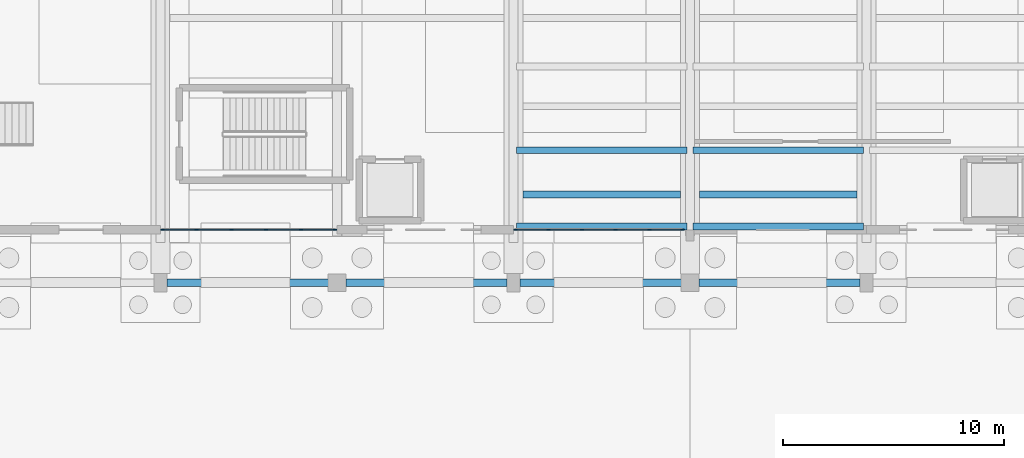
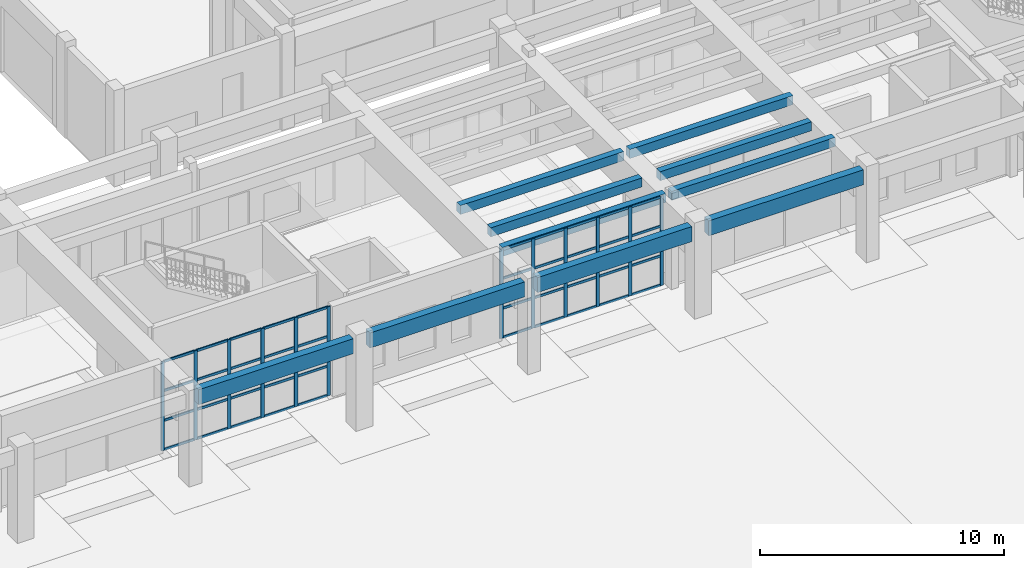
# One storey, part 23 of 68: 52 members, 10 beams, 2 elements without a shape of their own.
"""IFC4 building model written with IfcOpenShell, lengths in metres."""

from ifc_helpers import new_model, si_unit, direction, frame, origin, origin_2d, place, context, subcontext, project, spatial, rectangle, extrude, material, material_profile, profile_set, type_object, element, aggregate, save


model = new_model("IFC4")

# Units and contexts
model_context = context("Model", 3, precision=1e-05, world=origin(), true_north=direction((0.0, 1.0)))
body_context = subcontext(model_context, "Body", "Model", "MODEL_VIEW")
ifc_project = project(units=[si_unit("LENGTHUNIT", "METRE"), si_unit("AREAUNIT", "SQUARE_METRE"), si_unit("VOLUMEUNIT", "CUBIC_METRE"), si_unit("PLANEANGLEUNIT", "RADIAN"), si_unit("MASSUNIT", "GRAM", prefix="KILO")], contexts=[model_context])

# Site, building, storey
site_placement = place(None, origin())
site = spatial("IfcSite", under=ifc_project, at=site_placement, CompositionType="ELEMENT")
building_placement = place(site_placement, origin())
building = spatial("IfcBuilding", under=site, at=building_placement, Name="Serraluz Foothill Cableway Terminal", CompositionType="ELEMENT")
storey_placement = place(building_placement, origin())
storey = spatial("IfcBuildingStorey", under=building, at=storey_placement, Name="L00", CompositionType="ELEMENT", Elevation=0.0)

# Curtain wall, members
ifc_material_1 = material(Name="Architectural bronze alloy C28000", Category="aluminium")
curtain_wall_type_1 = type_object("IfcCurtainWallType", Name="TYP-CW-720X480", PredefinedType="NOTDEFINED", material=ifc_material_1)
curtain_wall_1_placement = place(storey_placement, origin())
curtain_wall_1 = element("IfcCurtainWall", 1, at=curtain_wall_1_placement, inside=storey, type_object=curtain_wall_type_1, Name="Ribbed Glazed Curtain Wall CW-V1S-L00-64", PredefinedType="NOTDEFINED")
ifc_material_profile_1 = material_profile(ifc_material_1, rectangle(XDim=0.06005859375, YDim=0.159912109375, at=origin_2d()), Name="ALU MULLION 60x160")
ifc_profile_set_1 = profile_set([ifc_material_profile_1], Name="Architectural bronze alloy C28000")
member_type_1 = type_object("IfcMemberType", Name="TYP-CW-MUL-60X160", PredefinedType="MULLION", material=ifc_profile_set_1)
member_1_placement = place(storey_placement, frame((71.91796875, 58.39990234375, 0.0), z_axis=(0.0, 0.0, 1.0), x_axis=(0.0, -1.0, 0.0)))
member_1 = element("IfcMember", 2, at=member_1_placement, type_object=member_type_1, Name="CW-04 mullion 1", PredefinedType="MULLION", context=body_context, shape_type="SweptSolid", body=[
    extrude(rectangle(XDim=0.06005859375, YDim=0.159912109375, at=origin_2d()), origin(), (0.0, 0.0, 1.0), 4.449951171875),
])
member_2_placement = place(storey_placement, frame((70.368896484375, 58.39990234375, 0.0), z_axis=(0.0, 0.0, 1.0), x_axis=(0.0, -1.0, 0.0)))
member_2 = element("IfcMember", 3, at=member_2_placement, type_object=member_type_1, Name="CW-04 mullion 2", PredefinedType="MULLION", context=body_context, shape_type="SweptSolid", body=[
    extrude(rectangle(XDim=0.06005859375, YDim=0.159912109375, at=origin_2d()), origin(), (0.0, 0.0, 1.0), 4.449951171875),
])
member_3_placement = place(storey_placement, frame((68.78955078125, 58.39990234375, 0.0), z_axis=(0.0, 0.0, 1.0), x_axis=(0.0, -1.0, 0.0)))
member_3 = element("IfcMember", 4, at=member_3_placement, type_object=member_type_1, Name="CW-04 mullion 3", PredefinedType="MULLION", context=body_context, shape_type="SweptSolid", body=[
    extrude(rectangle(XDim=0.06005859375, YDim=0.159912109375, at=origin_2d()), origin(), (0.0, 0.0, 1.0), 4.449951171875),
])
member_4_placement = place(storey_placement, frame((67.21044921875, 58.39990234375, 0.0), z_axis=(0.0, 0.0, 1.0), x_axis=(0.0, -1.0, 0.0)))
member_4 = element("IfcMember", 5, at=member_4_placement, type_object=member_type_1, Name="CW-04 mullion 4", PredefinedType="MULLION", context=body_context, shape_type="SweptSolid", body=[
    extrude(rectangle(XDim=0.06005859375, YDim=0.159912109375, at=origin_2d()), origin(), (0.0, 0.0, 1.0), 4.449951171875),
])
member_5_placement = place(storey_placement, frame((65.631103515625, 58.39990234375, 0.0), z_axis=(0.0, 0.0, 1.0), x_axis=(0.0, -1.0, 0.0)))
member_5 = element("IfcMember", 6, at=member_5_placement, type_object=member_type_1, Name="CW-04 mullion 5", PredefinedType="MULLION", context=body_context, shape_type="SweptSolid", body=[
    extrude(rectangle(XDim=0.06005859375, YDim=0.159912109375, at=origin_2d()), origin(), (0.0, 0.0, 1.0), 4.449951171875),
])
member_6_placement = place(storey_placement, frame((64.08203125, 58.39990234375, 0.0), z_axis=(0.0, 0.0, 1.0), x_axis=(0.0, -1.0, 0.0)))
member_6 = element("IfcMember", 7, at=member_6_placement, type_object=member_type_1, Name="CW-04 mullion 6", PredefinedType="MULLION", context=body_context, shape_type="SweptSolid", body=[
    extrude(rectangle(XDim=0.06005859375, YDim=0.159912109375, at=origin_2d()), origin(), (0.0, 0.0, 1.0), 4.449951171875),
])

curtain_wall_type_2 = type_object("IfcCurtainWallType", Name="TYP-CW-740X440", PredefinedType="NOTDEFINED", material=ifc_material_1)
curtain_wall_2_placement = place(storey_placement, origin())
curtain_wall_2 = element("IfcCurtainWall", 8, at=curtain_wall_2_placement, inside=storey, type_object=curtain_wall_type_2, Name="Ribbed Glazed Curtain Wall CW-V1S-L00-80", PredefinedType="NOTDEFINED")
member_7_placement = place(storey_placement, frame((87.655029296875, 58.39990234375, 0.0), z_axis=(0.0, 0.0, 1.0), x_axis=(0.0, -1.0, 0.0)))
member_7 = element("IfcMember", 9, at=member_7_placement, type_object=member_type_1, Name="CW-06 mullion 1", PredefinedType="MULLION", context=body_context, shape_type="SweptSolid", body=[
    extrude(rectangle(XDim=0.06005859375, YDim=0.159912109375, at=origin_2d()), origin(), (0.0, 0.0, 1.0), 4.449951171875),
])
member_8_placement = place(storey_placement, frame((86.158447265625, 58.39990234375, 0.0), z_axis=(0.0, 0.0, 1.0), x_axis=(0.0, -1.0, 0.0)))
member_8 = element("IfcMember", 10, at=member_8_placement, type_object=member_type_1, Name="CW-06 mullion 2", PredefinedType="MULLION", context=body_context, shape_type="SweptSolid", body=[
    extrude(rectangle(XDim=0.06005859375, YDim=0.159912109375, at=origin_2d()), origin(), (0.0, 0.0, 1.0), 4.449951171875),
])
member_9_placement = place(storey_placement, frame((84.6318359375, 58.39990234375, 0.0), z_axis=(0.0, 0.0, 1.0), x_axis=(0.0, -1.0, 0.0)))
member_9 = element("IfcMember", 11, at=member_9_placement, type_object=member_type_1, Name="CW-06 mullion 3", PredefinedType="MULLION", context=body_context, shape_type="SweptSolid", body=[
    extrude(rectangle(XDim=0.06005859375, YDim=0.159912109375, at=origin_2d()), origin(), (0.0, 0.0, 1.0), 4.449951171875),
])
member_10_placement = place(storey_placement, frame((83.105224609375, 58.39990234375, 0.0), z_axis=(0.0, 0.0, 1.0), x_axis=(0.0, -1.0, 0.0)))
member_10 = element("IfcMember", 12, at=member_10_placement, type_object=member_type_1, Name="CW-06 mullion 4", PredefinedType="MULLION", context=body_context, shape_type="SweptSolid", body=[
    extrude(rectangle(XDim=0.06005859375, YDim=0.159912109375, at=origin_2d()), origin(), (0.0, 0.0, 1.0), 4.449951171875),
])
member_11_placement = place(storey_placement, frame((81.57861328125, 58.39990234375, 0.0), z_axis=(0.0, 0.0, 1.0), x_axis=(0.0, -1.0, 0.0)))
member_11 = element("IfcMember", 13, at=member_11_placement, type_object=member_type_1, Name="CW-06 mullion 5", PredefinedType="MULLION", context=body_context, shape_type="SweptSolid", body=[
    extrude(rectangle(XDim=0.06005859375, YDim=0.159912109375, at=origin_2d()), origin(), (0.0, 0.0, 1.0), 4.449951171875),
])
member_12_placement = place(storey_placement, frame((80.08203125, 58.39990234375, 0.0), z_axis=(0.0, 0.0, 1.0), x_axis=(0.0, -1.0, 0.0)))
member_12 = element("IfcMember", 14, at=member_12_placement, type_object=member_type_1, Name="CW-06 mullion 6", PredefinedType="MULLION", context=body_context, shape_type="SweptSolid", body=[
    extrude(rectangle(XDim=0.06005859375, YDim=0.159912109375, at=origin_2d()), origin(), (0.0, 0.0, 1.0), 4.449951171875),
])

# Member
ifc_material_profile_2 = material_profile(ifc_material_1, rectangle(XDim=0.06005859375, YDim=0.1201171875, at=origin_2d()), Name="ALU TRANSOM 60x120")
ifc_profile_set_2 = profile_set([ifc_material_profile_2], Name="Architectural bronze alloy C28000")
member_type_2 = type_object("IfcMemberType", Name="TYP-CW-TRN-60X120", PredefinedType="USERDEFINED", material=ifc_profile_set_2)
member_13_placement = place(storey_placement, frame((71.887939453125, 58.39990234375, 0.030029296875), z_axis=(-1.0, 0.0, 0.0), x_axis=(0.0, -1.0, 0.0)))
member_13 = element("IfcMember", 15, at=member_13_placement, type_object=member_type_2, Name="CW-04 transom 1.1", ObjectType="TRANSOM", PredefinedType="USERDEFINED", context=body_context, shape_type="SweptSolid", body=[
    extrude(rectangle(XDim=0.06005859375, YDim=0.1201171875, at=origin_2d()), origin(), (0.0, 0.0, 1.0), 1.4892578125),
])

member_14_placement = place(storey_placement, frame((71.887939453125, 58.39990234375, 1.4833984375), z_axis=(-1.0, 0.0, 0.0), x_axis=(0.0, -1.0, 0.0)))
member_14 = element("IfcMember", 16, at=member_14_placement, type_object=member_type_2, Name="CW-04 transom 1.2", ObjectType="TRANSOM", PredefinedType="USERDEFINED", context=body_context, shape_type="SweptSolid", body=[
    extrude(rectangle(XDim=0.06005859375, YDim=0.1201171875, at=origin_2d()), origin(), (0.0, 0.0, 1.0), 1.4892578125),
])

member_15_placement = place(storey_placement, frame((71.887939453125, 58.39990234375, 2.966796875), z_axis=(-1.0, 0.0, 0.0), x_axis=(0.0, -1.0, 0.0)))
member_15 = element("IfcMember", 17, at=member_15_placement, type_object=member_type_2, Name="CW-04 transom 1.3", ObjectType="TRANSOM", PredefinedType="USERDEFINED", context=body_context, shape_type="SweptSolid", body=[
    extrude(rectangle(XDim=0.06005859375, YDim=0.1201171875, at=origin_2d()), origin(), (0.0, 0.0, 1.0), 1.4892578125),
])

member_16_placement = place(storey_placement, frame((71.887939453125, 58.39990234375, 4.419921875), z_axis=(-1.0, 0.0, 0.0), x_axis=(0.0, -1.0, 0.0)))
member_16 = element("IfcMember", 18, at=member_16_placement, type_object=member_type_2, Name="CW-04 transom 1.4", ObjectType="TRANSOM", PredefinedType="USERDEFINED", context=body_context, shape_type="SweptSolid", body=[
    extrude(rectangle(XDim=0.06005859375, YDim=0.1201171875, at=origin_2d()), origin(), (0.0, 0.0, 1.0), 1.4892578125),
])

member_17_placement = place(storey_placement, frame((70.3388671875, 58.39990234375, 0.030029296875), z_axis=(-1.0, 0.0, 0.0), x_axis=(0.0, -1.0, 0.0)))
member_17 = element("IfcMember", 19, at=member_17_placement, type_object=member_type_2, Name="CW-04 transom 2.1", ObjectType="TRANSOM", PredefinedType="USERDEFINED", context=body_context, shape_type="SweptSolid", body=[
    extrude(rectangle(XDim=0.06005859375, YDim=0.1201171875, at=origin_2d()), origin(), (0.0, 0.0, 1.0), 1.519287109375),
])

member_18_placement = place(storey_placement, frame((70.3388671875, 58.39990234375, 1.4833984375), z_axis=(-1.0, 0.0, 0.0), x_axis=(0.0, -1.0, 0.0)))
member_18 = element("IfcMember", 20, at=member_18_placement, type_object=member_type_2, Name="CW-04 transom 2.2", ObjectType="TRANSOM", PredefinedType="USERDEFINED", context=body_context, shape_type="SweptSolid", body=[
    extrude(rectangle(XDim=0.06005859375, YDim=0.1201171875, at=origin_2d()), origin(), (0.0, 0.0, 1.0), 1.519287109375),
])

member_19_placement = place(storey_placement, frame((70.3388671875, 58.39990234375, 2.966796875), z_axis=(-1.0, 0.0, 0.0), x_axis=(0.0, -1.0, 0.0)))
member_19 = element("IfcMember", 21, at=member_19_placement, type_object=member_type_2, Name="CW-04 transom 2.3", ObjectType="TRANSOM", PredefinedType="USERDEFINED", context=body_context, shape_type="SweptSolid", body=[
    extrude(rectangle(XDim=0.06005859375, YDim=0.1201171875, at=origin_2d()), origin(), (0.0, 0.0, 1.0), 1.519287109375),
])

member_20_placement = place(storey_placement, frame((70.3388671875, 58.39990234375, 4.419921875), z_axis=(-1.0, 0.0, 0.0), x_axis=(0.0, -1.0, 0.0)))
member_20 = element("IfcMember", 22, at=member_20_placement, type_object=member_type_2, Name="CW-04 transom 2.4", ObjectType="TRANSOM", PredefinedType="USERDEFINED", context=body_context, shape_type="SweptSolid", body=[
    extrude(rectangle(XDim=0.06005859375, YDim=0.1201171875, at=origin_2d()), origin(), (0.0, 0.0, 1.0), 1.519287109375),
])

member_21_placement = place(storey_placement, frame((68.759521484375, 58.39990234375, 0.030029296875), z_axis=(-1.0, 0.0, 0.0), x_axis=(0.0, -1.0, 0.0)))
member_21 = element("IfcMember", 23, at=member_21_placement, type_object=member_type_2, Name="CW-04 transom 3.1", ObjectType="TRANSOM", PredefinedType="USERDEFINED", context=body_context, shape_type="SweptSolid", body=[
    extrude(rectangle(XDim=0.06005859375, YDim=0.1201171875, at=origin_2d()), origin(), (0.0, 0.0, 1.0), 1.51904296875),
])

member_22_placement = place(storey_placement, frame((68.759521484375, 58.39990234375, 1.4833984375), z_axis=(-1.0, 0.0, 0.0), x_axis=(0.0, -1.0, 0.0)))
member_22 = element("IfcMember", 24, at=member_22_placement, type_object=member_type_2, Name="CW-04 transom 3.2", ObjectType="TRANSOM", PredefinedType="USERDEFINED", context=body_context, shape_type="SweptSolid", body=[
    extrude(rectangle(XDim=0.06005859375, YDim=0.1201171875, at=origin_2d()), origin(), (0.0, 0.0, 1.0), 1.51904296875),
])

member_23_placement = place(storey_placement, frame((68.759521484375, 58.39990234375, 2.966796875), z_axis=(-1.0, 0.0, 0.0), x_axis=(0.0, -1.0, 0.0)))
member_23 = element("IfcMember", 25, at=member_23_placement, type_object=member_type_2, Name="CW-04 transom 3.3", ObjectType="TRANSOM", PredefinedType="USERDEFINED", context=body_context, shape_type="SweptSolid", body=[
    extrude(rectangle(XDim=0.06005859375, YDim=0.1201171875, at=origin_2d()), origin(), (0.0, 0.0, 1.0), 1.51904296875),
])

member_24_placement = place(storey_placement, frame((68.759521484375, 58.39990234375, 4.419921875), z_axis=(-1.0, 0.0, 0.0), x_axis=(0.0, -1.0, 0.0)))
member_24 = element("IfcMember", 26, at=member_24_placement, type_object=member_type_2, Name="CW-04 transom 3.4", ObjectType="TRANSOM", PredefinedType="USERDEFINED", context=body_context, shape_type="SweptSolid", body=[
    extrude(rectangle(XDim=0.06005859375, YDim=0.1201171875, at=origin_2d()), origin(), (0.0, 0.0, 1.0), 1.51904296875),
])

member_25_placement = place(storey_placement, frame((67.180419921875, 58.39990234375, 0.030029296875), z_axis=(-1.0, 0.0, 0.0), x_axis=(0.0, -1.0, 0.0)))
member_25 = element("IfcMember", 27, at=member_25_placement, type_object=member_type_2, Name="CW-04 transom 4.1", ObjectType="TRANSOM", PredefinedType="USERDEFINED", context=body_context, shape_type="SweptSolid", body=[
    extrude(rectangle(XDim=0.06005859375, YDim=0.1201171875, at=origin_2d()), origin(), (0.0, 0.0, 1.0), 1.519287109375),
])

member_26_placement = place(storey_placement, frame((67.180419921875, 58.39990234375, 1.4833984375), z_axis=(-1.0, 0.0, 0.0), x_axis=(0.0, -1.0, 0.0)))
member_26 = element("IfcMember", 28, at=member_26_placement, type_object=member_type_2, Name="CW-04 transom 4.2", ObjectType="TRANSOM", PredefinedType="USERDEFINED", context=body_context, shape_type="SweptSolid", body=[
    extrude(rectangle(XDim=0.06005859375, YDim=0.1201171875, at=origin_2d()), origin(), (0.0, 0.0, 1.0), 1.519287109375),
])

member_27_placement = place(storey_placement, frame((67.180419921875, 58.39990234375, 2.966796875), z_axis=(-1.0, 0.0, 0.0), x_axis=(0.0, -1.0, 0.0)))
member_27 = element("IfcMember", 29, at=member_27_placement, type_object=member_type_2, Name="CW-04 transom 4.3", ObjectType="TRANSOM", PredefinedType="USERDEFINED", context=body_context, shape_type="SweptSolid", body=[
    extrude(rectangle(XDim=0.06005859375, YDim=0.1201171875, at=origin_2d()), origin(), (0.0, 0.0, 1.0), 1.519287109375),
])

member_28_placement = place(storey_placement, frame((67.180419921875, 58.39990234375, 4.419921875), z_axis=(-1.0, 0.0, 0.0), x_axis=(0.0, -1.0, 0.0)))
member_28 = element("IfcMember", 30, at=member_28_placement, type_object=member_type_2, Name="CW-04 transom 4.4", ObjectType="TRANSOM", PredefinedType="USERDEFINED", context=body_context, shape_type="SweptSolid", body=[
    extrude(rectangle(XDim=0.06005859375, YDim=0.1201171875, at=origin_2d()), origin(), (0.0, 0.0, 1.0), 1.519287109375),
])

member_29_placement = place(storey_placement, frame((65.601318359375, 58.39990234375, 0.030029296875), z_axis=(-1.0, 0.0, 0.0), x_axis=(0.0, -1.0, 0.0)))
member_29 = element("IfcMember", 31, at=member_29_placement, type_object=member_type_2, Name="CW-04 transom 5.1", ObjectType="TRANSOM", PredefinedType="USERDEFINED", context=body_context, shape_type="SweptSolid", body=[
    extrude(rectangle(XDim=0.06005859375, YDim=0.1201171875, at=origin_2d()), origin(), (0.0, 0.0, 1.0), 1.4892578125),
])

member_30_placement = place(storey_placement, frame((65.601318359375, 58.39990234375, 1.4833984375), z_axis=(-1.0, 0.0, 0.0), x_axis=(0.0, -1.0, 0.0)))
member_30 = element("IfcMember", 32, at=member_30_placement, type_object=member_type_2, Name="CW-04 transom 5.2", ObjectType="TRANSOM", PredefinedType="USERDEFINED", context=body_context, shape_type="SweptSolid", body=[
    extrude(rectangle(XDim=0.06005859375, YDim=0.1201171875, at=origin_2d()), origin(), (0.0, 0.0, 1.0), 1.4892578125),
])

member_31_placement = place(storey_placement, frame((65.601318359375, 58.39990234375, 2.966796875), z_axis=(-1.0, 0.0, 0.0), x_axis=(0.0, -1.0, 0.0)))
member_31 = element("IfcMember", 33, at=member_31_placement, type_object=member_type_2, Name="CW-04 transom 5.3", ObjectType="TRANSOM", PredefinedType="USERDEFINED", context=body_context, shape_type="SweptSolid", body=[
    extrude(rectangle(XDim=0.06005859375, YDim=0.1201171875, at=origin_2d()), origin(), (0.0, 0.0, 1.0), 1.4892578125),
])

member_32_placement = place(storey_placement, frame((65.601318359375, 58.39990234375, 4.419921875), z_axis=(-1.0, 0.0, 0.0), x_axis=(0.0, -1.0, 0.0)))
member_32 = element("IfcMember", 34, at=member_32_placement, type_object=member_type_2, Name="CW-04 transom 5.4", ObjectType="TRANSOM", PredefinedType="USERDEFINED", context=body_context, shape_type="SweptSolid", body=[
    extrude(rectangle(XDim=0.06005859375, YDim=0.1201171875, at=origin_2d()), origin(), (0.0, 0.0, 1.0), 1.4892578125),
])

aggregate(curtain_wall_1, [member_1, member_2, member_3, member_4, member_5, member_6, member_13, member_14, member_15, member_16, member_17, member_18, member_19, member_20, member_21, member_22, member_23, member_24, member_25, member_26, member_27, member_28, member_29, member_30, member_31, member_32])

member_33_placement = place(storey_placement, frame((87.625, 58.39990234375, 0.030029296875), z_axis=(-1.0, 0.0, 0.0), x_axis=(0.0, -1.0, 0.0)))
member_33 = element("IfcMember", 35, at=member_33_placement, type_object=member_type_2, Name="CW-06 transom 1.1", ObjectType="TRANSOM", PredefinedType="USERDEFINED", context=body_context, shape_type="SweptSolid", body=[
    extrude(rectangle(XDim=0.06005859375, YDim=0.1201171875, at=origin_2d()), origin(), (0.0, 0.0, 1.0), 1.4365234375),
])

member_34_placement = place(storey_placement, frame((87.625, 58.39990234375, 1.4833984375), z_axis=(-1.0, 0.0, 0.0), x_axis=(0.0, -1.0, 0.0)))
member_34 = element("IfcMember", 36, at=member_34_placement, type_object=member_type_2, Name="CW-06 transom 1.2", ObjectType="TRANSOM", PredefinedType="USERDEFINED", context=body_context, shape_type="SweptSolid", body=[
    extrude(rectangle(XDim=0.06005859375, YDim=0.1201171875, at=origin_2d()), origin(), (0.0, 0.0, 1.0), 1.4365234375),
])

member_35_placement = place(storey_placement, frame((87.625, 58.39990234375, 2.966796875), z_axis=(-1.0, 0.0, 0.0), x_axis=(0.0, -1.0, 0.0)))
member_35 = element("IfcMember", 37, at=member_35_placement, type_object=member_type_2, Name="CW-06 transom 1.3", ObjectType="TRANSOM", PredefinedType="USERDEFINED", context=body_context, shape_type="SweptSolid", body=[
    extrude(rectangle(XDim=0.06005859375, YDim=0.1201171875, at=origin_2d()), origin(), (0.0, 0.0, 1.0), 1.4365234375),
])

member_36_placement = place(storey_placement, frame((87.625, 58.39990234375, 4.419921875), z_axis=(-1.0, 0.0, 0.0), x_axis=(0.0, -1.0, 0.0)))
member_36 = element("IfcMember", 38, at=member_36_placement, type_object=member_type_2, Name="CW-06 transom 1.4", ObjectType="TRANSOM", PredefinedType="USERDEFINED", context=body_context, shape_type="SweptSolid", body=[
    extrude(rectangle(XDim=0.06005859375, YDim=0.1201171875, at=origin_2d()), origin(), (0.0, 0.0, 1.0), 1.4365234375),
])

member_37_placement = place(storey_placement, frame((86.12841796875, 58.39990234375, 0.030029296875), z_axis=(-1.0, 0.0, 0.0), x_axis=(0.0, -1.0, 0.0)))
member_37 = element("IfcMember", 39, at=member_37_placement, type_object=member_type_2, Name="CW-06 transom 2.1", ObjectType="TRANSOM", PredefinedType="USERDEFINED", context=body_context, shape_type="SweptSolid", body=[
    extrude(rectangle(XDim=0.06005859375, YDim=0.1201171875, at=origin_2d()), origin(), (0.0, 0.0, 1.0), 1.466552734375),
])

member_38_placement = place(storey_placement, frame((86.12841796875, 58.39990234375, 1.4833984375), z_axis=(-1.0, 0.0, 0.0), x_axis=(0.0, -1.0, 0.0)))
member_38 = element("IfcMember", 40, at=member_38_placement, type_object=member_type_2, Name="CW-06 transom 2.2", ObjectType="TRANSOM", PredefinedType="USERDEFINED", context=body_context, shape_type="SweptSolid", body=[
    extrude(rectangle(XDim=0.06005859375, YDim=0.1201171875, at=origin_2d()), origin(), (0.0, 0.0, 1.0), 1.466552734375),
])

member_39_placement = place(storey_placement, frame((86.12841796875, 58.39990234375, 2.966796875), z_axis=(-1.0, 0.0, 0.0), x_axis=(0.0, -1.0, 0.0)))
member_39 = element("IfcMember", 41, at=member_39_placement, type_object=member_type_2, Name="CW-06 transom 2.3", ObjectType="TRANSOM", PredefinedType="USERDEFINED", context=body_context, shape_type="SweptSolid", body=[
    extrude(rectangle(XDim=0.06005859375, YDim=0.1201171875, at=origin_2d()), origin(), (0.0, 0.0, 1.0), 1.466552734375),
])

member_40_placement = place(storey_placement, frame((86.12841796875, 58.39990234375, 4.419921875), z_axis=(-1.0, 0.0, 0.0), x_axis=(0.0, -1.0, 0.0)))
member_40 = element("IfcMember", 42, at=member_40_placement, type_object=member_type_2, Name="CW-06 transom 2.4", ObjectType="TRANSOM", PredefinedType="USERDEFINED", context=body_context, shape_type="SweptSolid", body=[
    extrude(rectangle(XDim=0.06005859375, YDim=0.1201171875, at=origin_2d()), origin(), (0.0, 0.0, 1.0), 1.466552734375),
])

member_41_placement = place(storey_placement, frame((84.601806640625, 58.39990234375, 0.030029296875), z_axis=(-1.0, 0.0, 0.0), x_axis=(0.0, -1.0, 0.0)))
member_41 = element("IfcMember", 43, at=member_41_placement, type_object=member_type_2, Name="CW-06 transom 3.1", ObjectType="TRANSOM", PredefinedType="USERDEFINED", context=body_context, shape_type="SweptSolid", body=[
    extrude(rectangle(XDim=0.06005859375, YDim=0.1201171875, at=origin_2d()), origin(), (0.0, 0.0, 1.0), 1.466552734375),
])

member_42_placement = place(storey_placement, frame((84.601806640625, 58.39990234375, 1.4833984375), z_axis=(-1.0, 0.0, 0.0), x_axis=(0.0, -1.0, 0.0)))
member_42 = element("IfcMember", 44, at=member_42_placement, type_object=member_type_2, Name="CW-06 transom 3.2", ObjectType="TRANSOM", PredefinedType="USERDEFINED", context=body_context, shape_type="SweptSolid", body=[
    extrude(rectangle(XDim=0.06005859375, YDim=0.1201171875, at=origin_2d()), origin(), (0.0, 0.0, 1.0), 1.466552734375),
])

member_43_placement = place(storey_placement, frame((84.601806640625, 58.39990234375, 2.966796875), z_axis=(-1.0, 0.0, 0.0), x_axis=(0.0, -1.0, 0.0)))
member_43 = element("IfcMember", 45, at=member_43_placement, type_object=member_type_2, Name="CW-06 transom 3.3", ObjectType="TRANSOM", PredefinedType="USERDEFINED", context=body_context, shape_type="SweptSolid", body=[
    extrude(rectangle(XDim=0.06005859375, YDim=0.1201171875, at=origin_2d()), origin(), (0.0, 0.0, 1.0), 1.466552734375),
])

member_44_placement = place(storey_placement, frame((84.601806640625, 58.39990234375, 4.419921875), z_axis=(-1.0, 0.0, 0.0), x_axis=(0.0, -1.0, 0.0)))
member_44 = element("IfcMember", 46, at=member_44_placement, type_object=member_type_2, Name="CW-06 transom 3.4", ObjectType="TRANSOM", PredefinedType="USERDEFINED", context=body_context, shape_type="SweptSolid", body=[
    extrude(rectangle(XDim=0.06005859375, YDim=0.1201171875, at=origin_2d()), origin(), (0.0, 0.0, 1.0), 1.466552734375),
])

member_45_placement = place(storey_placement, frame((83.0751953125, 58.39990234375, 0.030029296875), z_axis=(-1.0, 0.0, 0.0), x_axis=(0.0, -1.0, 0.0)))
member_45 = element("IfcMember", 47, at=member_45_placement, type_object=member_type_2, Name="CW-06 transom 4.1", ObjectType="TRANSOM", PredefinedType="USERDEFINED", context=body_context, shape_type="SweptSolid", body=[
    extrude(rectangle(XDim=0.06005859375, YDim=0.1201171875, at=origin_2d()), origin(), (0.0, 0.0, 1.0), 1.466552734375),
])

member_46_placement = place(storey_placement, frame((83.0751953125, 58.39990234375, 1.4833984375), z_axis=(-1.0, 0.0, 0.0), x_axis=(0.0, -1.0, 0.0)))
member_46 = element("IfcMember", 48, at=member_46_placement, type_object=member_type_2, Name="CW-06 transom 4.2", ObjectType="TRANSOM", PredefinedType="USERDEFINED", context=body_context, shape_type="SweptSolid", body=[
    extrude(rectangle(XDim=0.06005859375, YDim=0.1201171875, at=origin_2d()), origin(), (0.0, 0.0, 1.0), 1.466552734375),
])

member_47_placement = place(storey_placement, frame((83.0751953125, 58.39990234375, 2.966796875), z_axis=(-1.0, 0.0, 0.0), x_axis=(0.0, -1.0, 0.0)))
member_47 = element("IfcMember", 49, at=member_47_placement, type_object=member_type_2, Name="CW-06 transom 4.3", ObjectType="TRANSOM", PredefinedType="USERDEFINED", context=body_context, shape_type="SweptSolid", body=[
    extrude(rectangle(XDim=0.06005859375, YDim=0.1201171875, at=origin_2d()), origin(), (0.0, 0.0, 1.0), 1.466552734375),
])

member_48_placement = place(storey_placement, frame((83.0751953125, 58.39990234375, 4.419921875), z_axis=(-1.0, 0.0, 0.0), x_axis=(0.0, -1.0, 0.0)))
member_48 = element("IfcMember", 50, at=member_48_placement, type_object=member_type_2, Name="CW-06 transom 4.4", ObjectType="TRANSOM", PredefinedType="USERDEFINED", context=body_context, shape_type="SweptSolid", body=[
    extrude(rectangle(XDim=0.06005859375, YDim=0.1201171875, at=origin_2d()), origin(), (0.0, 0.0, 1.0), 1.466552734375),
])

member_49_placement = place(storey_placement, frame((81.548583984375, 58.39990234375, 0.030029296875), z_axis=(-1.0, 0.0, 0.0), x_axis=(0.0, -1.0, 0.0)))
member_49 = element("IfcMember", 51, at=member_49_placement, type_object=member_type_2, Name="CW-06 transom 5.1", ObjectType="TRANSOM", PredefinedType="USERDEFINED", context=body_context, shape_type="SweptSolid", body=[
    extrude(rectangle(XDim=0.06005859375, YDim=0.1201171875, at=origin_2d()), origin(), (0.0, 0.0, 1.0), 1.4365234375),
])

member_50_placement = place(storey_placement, frame((81.548583984375, 58.39990234375, 1.4833984375), z_axis=(-1.0, 0.0, 0.0), x_axis=(0.0, -1.0, 0.0)))
member_50 = element("IfcMember", 52, at=member_50_placement, type_object=member_type_2, Name="CW-06 transom 5.2", ObjectType="TRANSOM", PredefinedType="USERDEFINED", context=body_context, shape_type="SweptSolid", body=[
    extrude(rectangle(XDim=0.06005859375, YDim=0.1201171875, at=origin_2d()), origin(), (0.0, 0.0, 1.0), 1.4365234375),
])

member_51_placement = place(storey_placement, frame((81.548583984375, 58.39990234375, 2.966796875), z_axis=(-1.0, 0.0, 0.0), x_axis=(0.0, -1.0, 0.0)))
member_51 = element("IfcMember", 53, at=member_51_placement, type_object=member_type_2, Name="CW-06 transom 5.3", ObjectType="TRANSOM", PredefinedType="USERDEFINED", context=body_context, shape_type="SweptSolid", body=[
    extrude(rectangle(XDim=0.06005859375, YDim=0.1201171875, at=origin_2d()), origin(), (0.0, 0.0, 1.0), 1.4365234375),
])

member_52_placement = place(storey_placement, frame((81.548583984375, 58.39990234375, 4.419921875), z_axis=(-1.0, 0.0, 0.0), x_axis=(0.0, -1.0, 0.0)))
member_52 = element("IfcMember", 54, at=member_52_placement, type_object=member_type_2, Name="CW-06 transom 5.4", ObjectType="TRANSOM", PredefinedType="USERDEFINED", context=body_context, shape_type="SweptSolid", body=[
    extrude(rectangle(XDim=0.06005859375, YDim=0.1201171875, at=origin_2d()), origin(), (0.0, 0.0, 1.0), 1.4365234375),
])

aggregate(curtain_wall_2, [member_7, member_8, member_9, member_10, member_11, member_12, member_33, member_34, member_35, member_36, member_37, member_38, member_39, member_40, member_41, member_42, member_43, member_44, member_45, member_46, member_47, member_48, member_49, member_50, member_51, member_52])

# Beams
ifc_material_2 = material(Name="Concrete C28/35 (f'c 28 MPa)", Category="concrete")
ifc_material_profile_3 = material_profile(ifc_material_2, rectangle(XDim=0.300048828125, YDim=0.449951171875, at=origin_2d()), Name="RC 300x450")
ifc_profile_set_3 = profile_set([ifc_material_profile_3], Name="Concrete C28/35 (f'c 28 MPa)")
beam_type_1 = type_object("IfcBeamType", Name="TYP-JS-RC300X450", PredefinedType="JOIST", material=ifc_profile_set_3)
for number, where, z_axis, x_axis, name in (
    (55, (80.429931640625, 60.0, 4.27490234375), (1.0, 0.0, 0.0), (0.0, 1.0, 0.0), "Secondary Floor Joist JS-L00-0021"),
    (56, (88.429931640625, 60.0, 4.27490234375), (1.0, 0.0, 0.0), (0.0, 1.0, 0.0), "Secondary Floor Joist JS-L00-0031"),
):
    element("IfcBeam", number, at=place(storey_placement, frame(where, z_axis=z_axis, x_axis=x_axis)), inside=storey, type_object=beam_type_1, Name=name, PredefinedType="JOIST", context=body_context, shape_type="SweptSolid", body=[
        extrude(rectangle(XDim=0.300048828125, YDim=0.449951171875, at=origin_2d()), origin(), (0.0, 0.0, 1.0), 7.14013671875),
    ])
for number, where, z_axis, x_axis, name in (
    (57, (80.139892578125, 58.550048828125, 4.27490234375), (1.0, 0.0, 0.0), (0.0, 1.0, 0.0), "Composite Deck Joist L00-001"),
    (58, (80.139892578125, 62.0, 4.27490234375), (1.0, 0.0, 0.0), (0.0, 1.0, 0.0), "Composite Deck Joist L00-002"),
    (59, (88.139892578125, 58.550048828125, 4.27490234375), (1.0, 0.0, 0.0), (0.0, 1.0, 0.0), "Composite Deck Joist L00-005"),
    (60, (88.139892578125, 62.0, 4.27490234375), (1.0, 0.0, 0.0), (0.0, 1.0, 0.0), "Composite Deck Joist L00-006"),
):
    element("IfcBeam", number, at=place(storey_placement, frame(where, z_axis=z_axis, x_axis=x_axis)), inside=storey, type_object=beam_type_1, Name=name, PredefinedType="JOIST", context=body_context, shape_type="SweptSolid", body=[
        extrude(rectangle(XDim=0.300048828125, YDim=0.449951171875, at=origin_2d()), origin(), (0.0, 0.0, 1.0), 7.72021484375),
    ])
ifc_material_3 = material(Name="Precast concrete C40/50", Category="concrete")
ifc_material_profile_4 = material_profile(ifc_material_3, rectangle(XDim=0.35009765625, YDim=0.75, at=origin_2d()), Name="RC SP 350x750")
ifc_profile_set_4 = profile_set([ifc_material_profile_4], Name="Precast concrete C40/50")
beam_type_2 = type_object("IfcBeamType", Name="TYP-SP-RC350X750", PredefinedType="SPANDREL", material=ifc_profile_set_4)
for number, where, z_axis, x_axis, name in (
    (61, (64.2958984375, 56.0, 4.125), (1.0, 0.0, 0.0), (0.0, 1.0, 0.0), "Primary Girder BM-X-L00-0064"),
    (62, (72.39599609375, 56.0, 4.125), (1.0, 0.0, 0.0), (0.0, 1.0, 0.0), "Primary Girder BM-X-L00-0065"),
    (63, (80.2958984375, 56.0, 4.125), (1.0, 0.0, 0.0), (0.0, 1.0, 0.0), "Primary Girder BM-X-L00-0066"),
    (64, (88.39599609375, 56.0, 4.125), (1.0, 0.0, 0.0), (0.0, 1.0, 0.0), "Primary Girder BM-X-L00-0067"),
):
    element("IfcBeam", number, at=place(storey_placement, frame(where, z_axis=z_axis, x_axis=x_axis)), inside=storey, type_object=beam_type_2, Name=name, PredefinedType="SPANDREL", context=body_context, shape_type="SweptSolid", body=[
        extrude(rectangle(XDim=0.35009765625, YDim=0.75, at=origin_2d()), origin(), (0.0, 0.0, 1.0), 7.30810546875),
    ])

save(model, "model.ifc")
